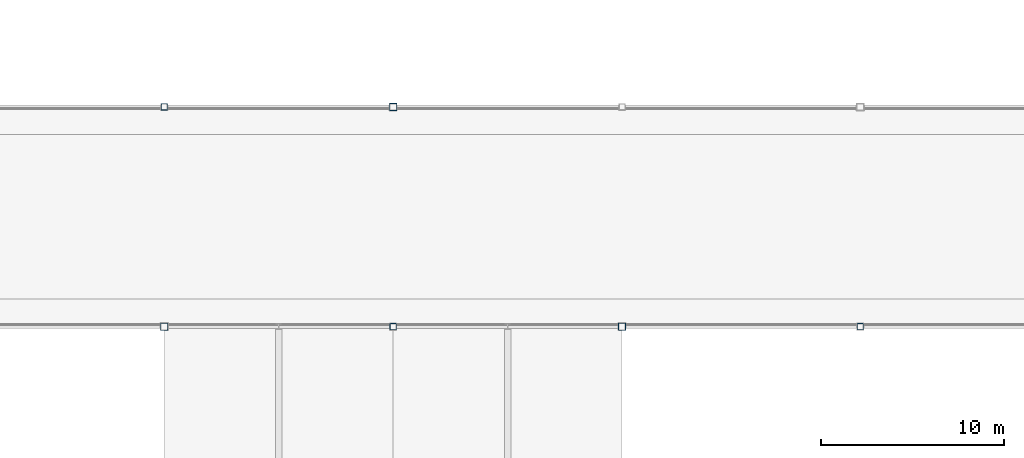
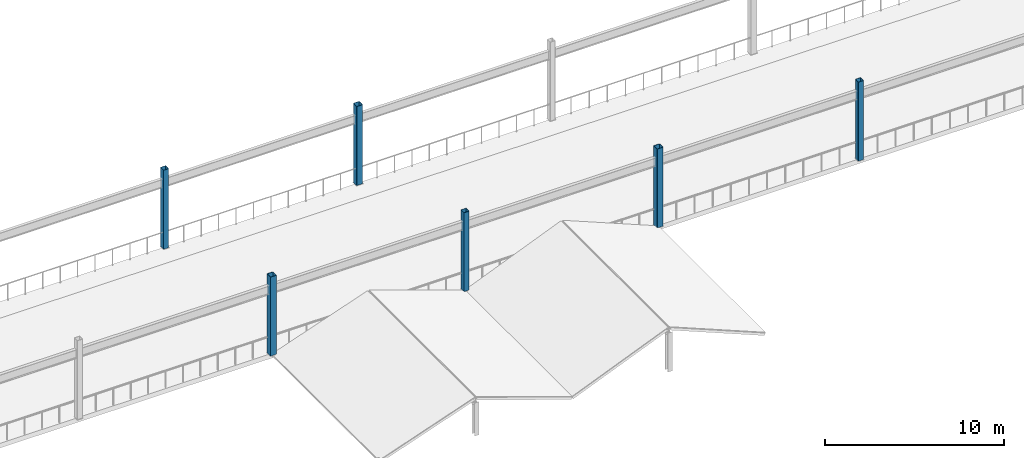
# One storey, part 5 of 105: 6 columns.
"""IFC4 building model written with IfcOpenShell, lengths in metres."""

from ifc_helpers import new_model, si_unit, direction, frame, origin, origin_2d, place, context, subcontext, project, spatial, hollow_rectangle, extrude, material, material_profile, profile_set, type_object, element, save


model = new_model("IFC4")

# Units and contexts
model_context = context("Model", 3, precision=1e-05, world=origin(), true_north=direction((0.0, 1.0)))
body_context = subcontext(model_context, "Body", "Model", "MODEL_VIEW")
ifc_project = project(units=[si_unit("LENGTHUNIT", "METRE"), si_unit("AREAUNIT", "SQUARE_METRE"), si_unit("VOLUMEUNIT", "CUBIC_METRE"), si_unit("PLANEANGLEUNIT", "RADIAN"), si_unit("MASSUNIT", "GRAM", prefix="KILO")], contexts=[model_context])

# Site, building, storey
site_placement = place(None, origin())
site = spatial("IfcSite", under=ifc_project, at=site_placement, CompositionType="ELEMENT")
building_placement = place(site_placement, origin())
building = spatial("IfcBuilding", under=site, at=building_placement, Name="Kazenohara Klinker Stadium", CompositionType="ELEMENT")
storey_placement = place(building_placement, frame((0.0, 0.0, 20.39990234375)))
storey = spatial("IfcBuildingStorey", under=building, at=storey_placement, Name="L04", CompositionType="ELEMENT", Elevation=20.39990234375)

# Columns
ifc_material = material(Name="Steel S355", Category="steel")
ifc_material_profile_1 = material_profile(ifc_material, hollow_rectangle(XDim=0.39990234375, YDim=0.39990234375, WallThickness=0.01611328125, InnerFilletRadius=0.01611328125, OuterFilletRadius=0.031982421875, at=origin_2d()), Name="SHS-400x400x16")
ifc_profile_set_1 = profile_set([ifc_material_profile_1], Name="Steel S355")
column_type_1 = type_object("IfcColumnType", Name="COL-ST01", PredefinedType="COLUMN", material=ifc_profile_set_1)
for number, where, z_axis, x_axis, name in (
    (1, (74.0, 24.0, 0.0), (0.0, 0.0, 1.0), (1.0, 0.0, 0.0), "Canopy ring support column SC01 L04 7/C"),
    (2, (86.5, 36.0, 0.0), (0.0, 0.0, 1.0), (1.0, 0.0, 0.0), "Canopy ring support column SC01 L04 8/D"),
    (3, (99.0, 24.0, 0.0), (0.0, 0.0, 1.0), (1.0, 0.0, 0.0), "Canopy ring support column SC01 L04 9/C"),
):
    element("IfcColumn", number, at=place(storey_placement, frame(where, z_axis=z_axis, x_axis=x_axis)), inside=storey, type_object=column_type_1, Name=name, PredefinedType="COLUMN", context=body_context, shape_type="SweptSolid", body=[
        extrude(hollow_rectangle(XDim=0.39990234375, YDim=0.39990234375, WallThickness=0.01611328125, InnerFilletRadius=0.01611328125, OuterFilletRadius=0.031982421875, at=origin_2d()), origin(), (0.0, 0.0, 1.0), 5.400146484375),
    ])
ifc_material_profile_2 = material_profile(ifc_material, hollow_rectangle(XDim=0.35009765625, YDim=0.35009765625, WallThickness=0.01611328125, InnerFilletRadius=0.01611328125, OuterFilletRadius=0.031982421875, at=origin_2d()), Name="SHS-350x350x16")
ifc_profile_set_2 = profile_set([ifc_material_profile_2], Name="Steel S355")
column_type_2 = type_object("IfcColumnType", Name="COL-ST02", PredefinedType="COLUMN", material=ifc_profile_set_2)
for number, where, z_axis, x_axis, name in (
    (4, (74.0, 36.0, 0.0), (0.0, 0.0, 1.0), (1.0, 0.0, 0.0), "Canopy ring support column SC02 L04 7/D"),
    (5, (86.5, 24.0, 0.0), (0.0, 0.0, 1.0), (1.0, 0.0, 0.0), "Canopy ring support column SC02 L04 8/C"),
    (6, (112.0, 24.0, 0.0), (0.0, 0.0, 1.0), (1.0, 0.0, 0.0), "Canopy ring support column SC02 L04 10/C"),
):
    element("IfcColumn", number, at=place(storey_placement, frame(where, z_axis=z_axis, x_axis=x_axis)), inside=storey, type_object=column_type_2, Name=name, PredefinedType="COLUMN", context=body_context, shape_type="SweptSolid", body=[
        extrude(hollow_rectangle(XDim=0.35009765625, YDim=0.35009765625, WallThickness=0.01611328125, InnerFilletRadius=0.01611328125, OuterFilletRadius=0.031982421875, at=origin_2d()), origin(), (0.0, 0.0, 1.0), 5.400146484375),
    ])

save(model, "model.ifc")
